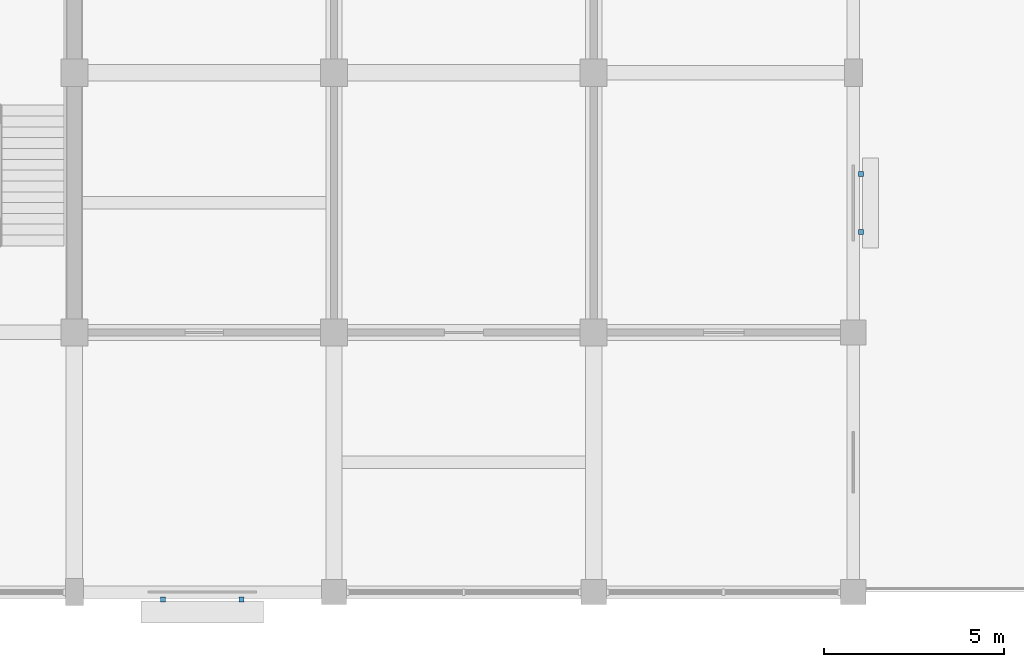
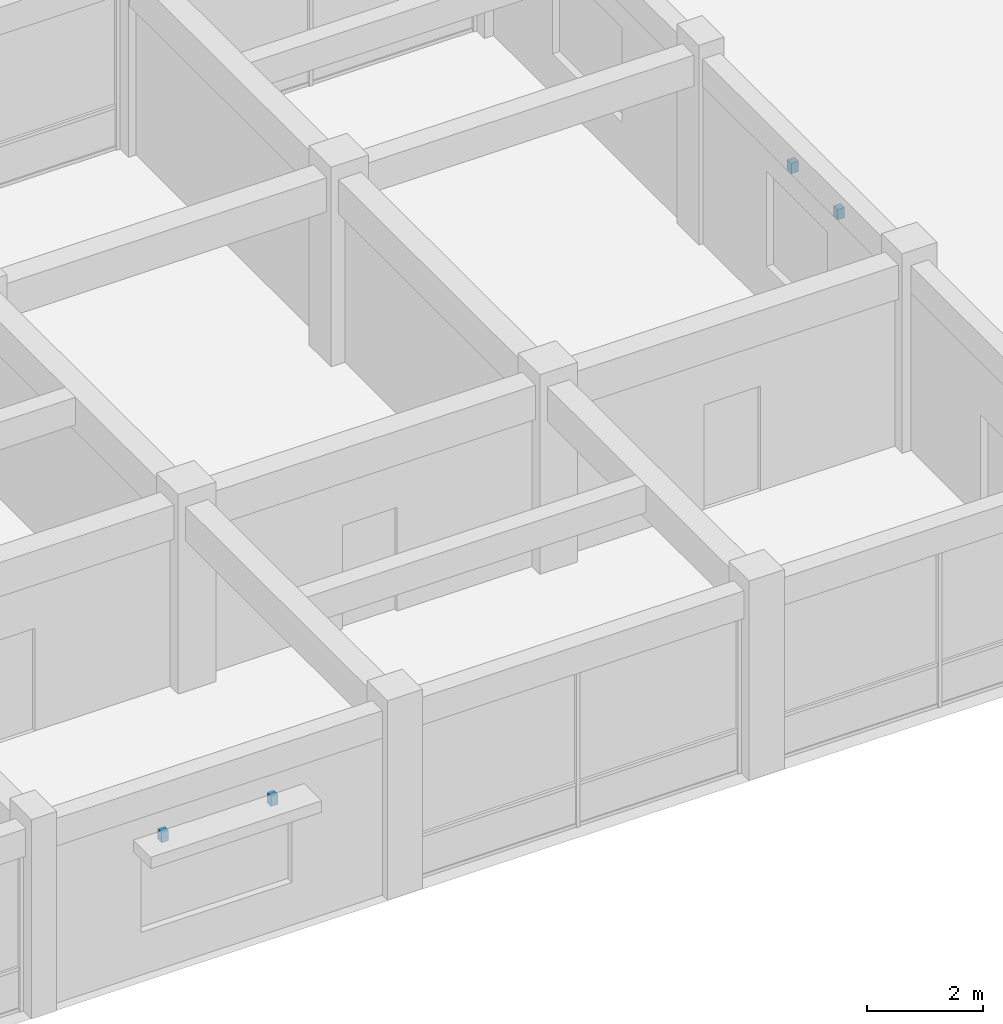
# One storey, part 29 of 31: 4 discrete accessories.
"""IFC4 building model written with IfcOpenShell, lengths in metres."""

import ifcopenshell
import ifcopenshell.guid

model = None  # the IFC model being written
_history = None  # IfcOwnerHistory: only IFC2X3 demands one
_inside = {}  # id of a spatial element -> (the spatial element, [elements in it])
_under = {}  # id of a project, library or spatial element -> (it, [spatial elements below it])
_declared = {}  # id of a project -> (the project, [libraries it declares])
_typed = {}  # id of a type object -> (the type object, [elements of that type])
_made_of = {}  # id of a material, layer set ... -> (it, [elements and type objects made of it])


def new_model(schema):
    """Start an empty IFC model of exactly this schema.

    Asked for "IFC4X3", IfcOpenShell would pick the latest addendum, in which some entities
    have other attributes; the version numbers below select the first issue.
    IFC2X3 requires an IfcOwnerHistory on every rooted entity: one is made here for all.
    """
    global model, _history
    if schema == "IFC4X3":
        model = ifcopenshell.file(schema_version=(4, 3, 0, 0))
    else:
        model = ifcopenshell.file(schema=schema)
    _inside.clear()
    _under.clear()
    _declared.clear()
    _typed.clear()
    _made_of.clear()
    _history = None
    if model.schema == "IFC2X3":
        org = make("IfcOrganization", Name="unknown")
        user = make(
            "IfcPersonAndOrganization",
            ThePerson=make("IfcPerson", FamilyName="unknown"),
            TheOrganization=org,
        )
        app = make(
            "IfcApplication",
            ApplicationDeveloper=org,
            Version="unknown",
            ApplicationFullName="unknown",
            ApplicationIdentifier="unknown",
        )
        _history = make(
            "IfcOwnerHistory",
            OwningUser=user,
            OwningApplication=app,
            ChangeAction="ADDED",
            CreationDate=0,
        )
    return model


def make(cls, **values):
    """One entity of the class cls with the attributes given. An attribute that is None is left unset."""
    return model.create_entity(
        cls, **{name: value for name, value in values.items() if value is not None}
    )


def rooted(cls, **values):
    """An entity with a GlobalId (a new one), such as an element, a storey or a relation."""
    return make(cls, GlobalId=ifcopenshell.guid.new(), OwnerHistory=_history, **values)


def si_unit(unit_type, name, prefix=None):
    """IfcSIUnit, for example si_unit("LENGTHUNIT", "METRE", prefix="MILLI")."""
    return make("IfcSIUnit", UnitType=unit_type, Prefix=prefix, Name=name)


def assignment(units):
    """IfcUnitAssignment: the units of a project."""
    return None if units is None else make("IfcUnitAssignment", Units=units)


def point(xyz):
    """IfcCartesianPoint."""
    return None if xyz is None else make("IfcCartesianPoint", Coordinates=xyz)


def direction(xyz):
    """IfcDirection."""
    return None if xyz is None else make("IfcDirection", DirectionRatios=xyz)


def frame(location, z_axis=None, x_axis=None):
    """IfcAxis2Placement3D, a coordinate frame: its origin and axes. An axis left out is left unset."""
    return make(
        "IfcAxis2Placement3D",
        Location=point(location),
        Axis=direction(z_axis),
        RefDirection=direction(x_axis),
    )


def frame_2d(location, x_axis=None):
    """IfcAxis2Placement2D, a coordinate frame in the plane: its origin and x axis."""
    return make(
        "IfcAxis2Placement2D", Location=point(location), RefDirection=direction(x_axis)
    )


def origin():
    """The frame at (0, 0, 0) with its axes left unset."""
    return frame((0.0, 0.0, 0.0))


def origin_2d():
    """The frame at (0, 0) in the plane with its x axis left unset."""
    return frame_2d((0.0, 0.0))


def place(relative_to, where):
    """IfcLocalPlacement: puts the frame where relative to a parent placement (None: the world)."""
    return make(
        "IfcLocalPlacement", PlacementRelTo=relative_to, RelativePlacement=where
    )


def context(
    kind, dimensions, precision=None, world=None, true_north=None, identifier=None
):
    """IfcGeometricRepresentationContext, for example the 3D "Model" context."""
    return make(
        "IfcGeometricRepresentationContext",
        ContextIdentifier=identifier,
        ContextType=kind,
        CoordinateSpaceDimension=dimensions,
        Precision=precision,
        WorldCoordinateSystem=world,
        TrueNorth=true_north,
    )


def subcontext(parent, identifier, kind, view, scale=None):
    """IfcGeometricRepresentationSubContext, for example "Body" below "Model"."""
    return make(
        "IfcGeometricRepresentationSubContext",
        ContextIdentifier=identifier,
        ContextType=kind,
        ParentContext=parent,
        TargetScale=scale,
        TargetView=view,
    )


def project(units=None, contexts=None):
    """IfcProject with its units and contexts."""
    return rooted(
        "IfcProject",
        Name="project",
        RepresentationContexts=contexts,
        UnitsInContext=assignment(units),
    )


def spatial(cls, under=None, at=None, **own):
    """A site, building, storey or space (cls), placed at a placement, below another one or the project."""
    s = rooted(cls, ObjectPlacement=at, **own)
    if under is not None:
        _under.setdefault(under.id(), (under, []))[1].append(s)
    return s


def profile(cls, at=None, kind="AREA", **sizes):
    """A parametric profile (cls). Its sizes go by their IFC names, for example OverallWidth=200.0."""
    return make(cls, ProfileType=kind, Position=at, **sizes)


def rectangle(**sizes):
    """IfcRectangleProfileDef."""
    return profile("IfcRectangleProfileDef", **sizes)


def extrude(swept, where, along, depth):
    """IfcExtrudedAreaSolid: the profile swept, set in the frame where, extruded along a direction by depth."""
    return make(
        "IfcExtrudedAreaSolid",
        SweptArea=swept,
        Position=where,
        ExtrudedDirection=direction(along),
        Depth=depth,
    )


def shape(context_of_items, identifier, shape_type, items):
    """IfcShapeRepresentation: the items that make up one representation, for example the "Body"."""
    return make(
        "IfcShapeRepresentation",
        ContextOfItems=context_of_items,
        RepresentationIdentifier=identifier,
        RepresentationType=shape_type,
        Items=items,
    )


def material(Name=None, Category=None):
    """IfcMaterial."""
    return make("IfcMaterial", Name=Name, Category=Category)


def made_of(thing, what):
    """Note that an element or type object is made of a material, layer set ...; save() writes the relation."""
    if what is not None:
        _made_of.setdefault(what.id(), (what, []))[1].append(thing)
    return thing


def type_object(cls, material=None, **own):
    """A type object (cls), such as IfcWallType, which elements share."""
    return made_of(rooted(cls, **own), material)


def element(
    cls,
    number,
    at=None,
    inside=None,
    cuts=None,
    type_object=None,
    material=None,
    context=None,
    identifier="Body",
    shape_type=None,
    held_by="IfcProductDefinitionShape",
    body=None,
    shapes=None,
    **own,
):
    """One element of the class cls, such as IfcWall. Its Tag is "e" and its number.

    at: its placement. inside: the storey or other place that contains it. cuts: it is an
    opening in that element (IfcRelVoidsElement). A single representation is given by context,
    identifier, shape_type and body (its items); several are given by shapes. held_by: the class
    of the entity that holds the representations. save() writes the other relations.
    """
    e = rooted(cls, Tag="e%d" % number, ObjectPlacement=at, **own)
    if body is not None:
        shapes = [shape(context, identifier, shape_type, body)]
    if shapes is not None:
        e.Representation = make(held_by, Representations=shapes)
    if inside is not None:
        _inside.setdefault(inside.id(), (inside, []))[1].append(e)
    if cuts is not None:
        rooted(
            "IfcRelVoidsElement", RelatingBuildingElement=cuts, RelatedOpeningElement=e
        )
    if type_object is not None:
        _typed.setdefault(type_object.id(), (type_object, []))[1].append(e)
    return made_of(e, material)


def aggregate(whole, parts):
    """IfcRelAggregates: a whole, such as a stair, and the parts it consists of."""
    return rooted("IfcRelAggregates", RelatingObject=whole, RelatedObjects=parts)


def save(model, path):
    """Write the relations noted so far, then the file.

    IfcRelAggregates (storeys below a building ...), IfcRelContainedInSpatialStructure (elements
    in a storey), IfcRelDefinesByType, IfcRelAssociatesMaterial and IfcRelDeclares: one each for
    every whole, place, type object, material and project.
    """
    for whole, parts in _under.values():
        aggregate(whole, parts)
    for where, things in _inside.values():
        rooted(
            "IfcRelContainedInSpatialStructure",
            RelatedElements=things,
            RelatingStructure=where,
        )
    for kind, things in _typed.values():
        rooted("IfcRelDefinesByType", RelatedObjects=things, RelatingType=kind)
    for what, things in _made_of.values():
        rooted("IfcRelAssociatesMaterial", RelatedObjects=things, RelatingMaterial=what)
    for by, libraries in _declared.values():
        rooted("IfcRelDeclares", RelatingContext=by, RelatedDefinitions=libraries)
    model.write(path)


model = new_model("IFC4")

# Units and contexts
model_context = context("Model", 3, precision=1e-05, world=origin(), true_north=direction((0.0, 1.0)))
body_context = subcontext(model_context, "Body", "Model", "MODEL_VIEW")
ifc_project = project(units=[si_unit("LENGTHUNIT", "METRE"), si_unit("AREAUNIT", "SQUARE_METRE"), si_unit("VOLUMEUNIT", "CUBIC_METRE"), si_unit("PLANEANGLEUNIT", "RADIAN"), si_unit("MASSUNIT", "GRAM", prefix="KILO")], contexts=[model_context])

# Site, building, storey
site_placement = place(None, origin())
site = spatial("IfcSite", under=ifc_project, at=site_placement, CompositionType="ELEMENT")
building_placement = place(site_placement, origin())
building = spatial("IfcBuilding", under=site, at=building_placement, Name="Cendaluz Park School", CompositionType="ELEMENT")
storey_placement = place(building_placement, frame((0.0, 0.0, 14.39990234375)))
storey = spatial("IfcBuildingStorey", under=building, at=storey_placement, Name="L03", CompositionType="ELEMENT", Elevation=14.39990234375)

# Discrete accessories
ifc_material = material(Name="Steel S355", Category="steel")
discrete_accessory_type = type_object("IfcDiscreteAccessoryType", Name="BK-01", PredefinedType="BRACKET", material=ifc_material)
for number, where, z_axis, x_axis, name in (
    (1, (139.261962890625, 6.989990234375, 2.72998046875), (0.0, 0.0, 1.0), (1.0, 0.0, 0.0), "BK-L03-117"),
    (2, (141.43798828125, 6.989990234375, 2.72998046875), (0.0, 0.0, 1.0), (1.0, 0.0, 0.0), "BK-L03-118"),
    (3, (158.610107421875, 17.1875, 2.8798828125), (0.0, 0.0, 1.0), (0.0, 1.0, 0.0), "BK-L03-119"),
    (4, (158.610107421875, 18.78759765625, 2.8798828125), (0.0, 0.0, 1.0), (0.0, 1.0, 0.0), "BK-L03-120"),
):
    element("IfcDiscreteAccessory", number, at=place(storey_placement, frame(where, z_axis=z_axis, x_axis=x_axis)), inside=storey, type_object=discrete_accessory_type, Name=name, PredefinedType="BRACKET", context=body_context, shape_type="SweptSolid", body=[
        extrude(rectangle(XDim=0.139892578125, YDim=0.139892578125, at=origin_2d()), origin(), (0.0, 0.0, 1.0), 0.219970703125),
    ])

save(model, "model.ifc")
